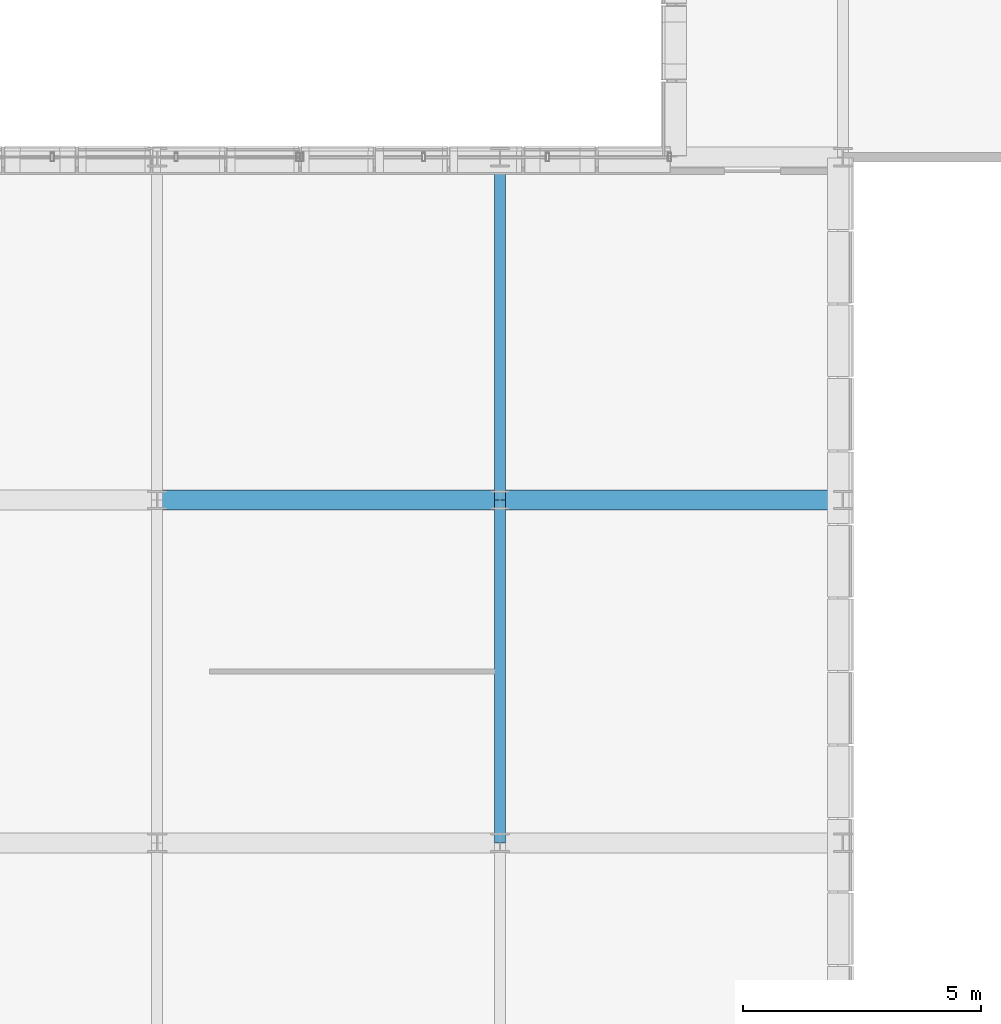
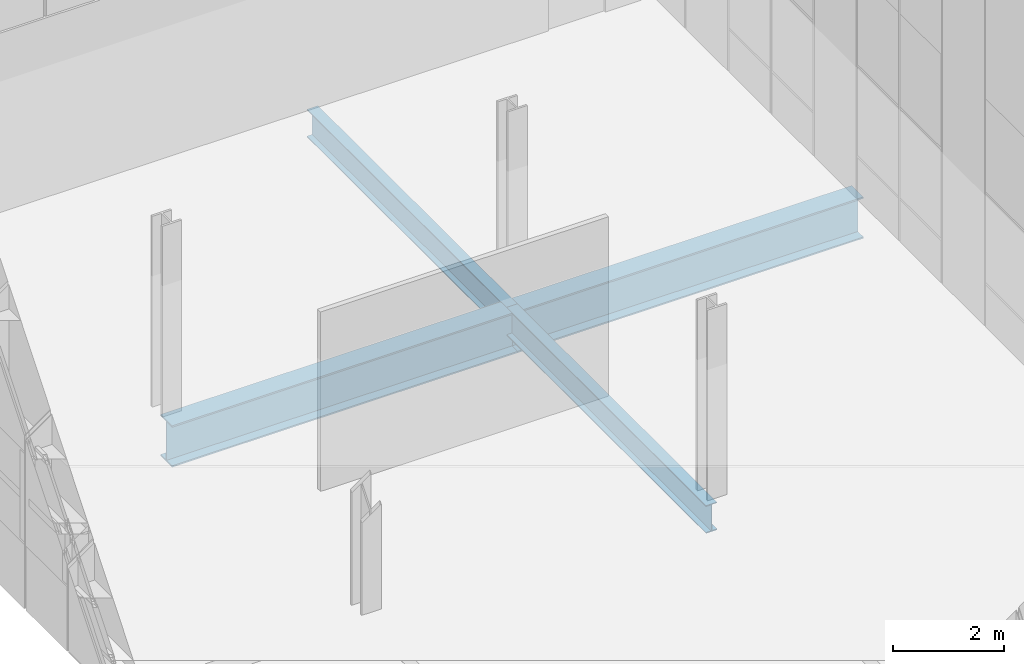
# One storey, part 16 of 144: 4 beams.
"""IFC4 building model written with IfcOpenShell, lengths in metres."""

from ifc_helpers import new_model, si_unit, direction, frame, origin, origin_2d, place, context, subcontext, project, spatial, i_section, extrude, material, material_profile, profile_set, type_object, element, save


model = new_model("IFC4")

# Units and contexts
model_context = context("Model", 3, precision=1e-05, world=origin(), true_north=direction((0.0, 1.0)))
body_context = subcontext(model_context, "Body", "Model", "MODEL_VIEW")
ifc_project = project(units=[si_unit("LENGTHUNIT", "METRE"), si_unit("AREAUNIT", "SQUARE_METRE"), si_unit("VOLUMEUNIT", "CUBIC_METRE"), si_unit("PLANEANGLEUNIT", "RADIAN"), si_unit("MASSUNIT", "GRAM", prefix="KILO")], contexts=[model_context])

# Site, building, storey
site_placement = place(None, origin())
site = spatial("IfcSite", under=ifc_project, at=site_placement, CompositionType="ELEMENT")
building_placement = place(site_placement, origin())
building = spatial("IfcBuilding", under=site, at=building_placement, Name="Yarey Park Central Fire Station", CompositionType="ELEMENT")
storey_placement = place(building_placement, frame((0.0, 0.0, 10.199951171875)))
storey = spatial("IfcBuildingStorey", under=building, at=storey_placement, Name="L03", CompositionType="ELEMENT", Elevation=10.199951171875)

# Beams
ifc_material = material(Name="Steel ASTM A992 Gr. 50", Category="steel")
ifc_material_profile_1 = material_profile(ifc_material, i_section(OverallWidth=0.22900390625, OverallDepth=0.612060546875, WebThickness=0.011962890625, FlangeThickness=0.01953125, at=origin_2d()), Name="W610x125")
ifc_profile_set_1 = profile_set([ifc_material_profile_1], Name="Steel ASTM A992 Gr. 50")
beam_type_1 = type_object("IfcBeamType", Name="STR_BM_W610", PredefinedType="BEAM", material=ifc_profile_set_1)
for number, where, z_axis, x_axis, name in (
    (1, (21.60009765625, 28.800048828125, -0.56591796875), (0.0, 1.0, 0.0), (-1.0, 0.0, 0.0), "DRUM BMY21 L03 Y288"),
    (2, (21.60009765625, 36.0, -0.56591796875), (0.0, 1.0, 0.0), (-1.0, 0.0, 0.0), "DRUM BMY21 L03 Y360"),
):
    element("IfcBeam", number, at=place(storey_placement, frame(where, z_axis=z_axis, x_axis=x_axis)), inside=storey, type_object=beam_type_1, Name=name, PredefinedType="BEAM", context=body_context, shape_type="SweptSolid", body=[
        extrude(i_section(OverallWidth=0.22900390625, OverallDepth=0.612060546875, WebThickness=0.011962890625, FlangeThickness=0.01953125, at=origin_2d()), origin(), (0.0, 0.0, 1.0), 7.199951171875),
    ])
ifc_material_profile_2 = material_profile(ifc_material, i_section(OverallWidth=0.41796875, OverallDepth=0.912109375, WebThickness=0.019287109375, FlangeThickness=0.031982421875, at=origin_2d()), Name="W920x342")
ifc_profile_set_2 = profile_set([ifc_material_profile_2], Name="Steel ASTM A992 Gr. 50")
beam_type_2 = type_object("IfcBeamType", Name="STR_BM_W920", PredefinedType="BEAM", material=ifc_profile_set_2)
beam_1_placement = place(storey_placement, frame((14.39990234375, 36.0, -0.716064453125), z_axis=(1.0, 0.0, 0.0), x_axis=(0.0, 1.0, 0.0)))
element("IfcBeam", 3, at=beam_1_placement, inside=storey, type_object=beam_type_2, Name="DRUM GIRD1 L03 Y360", PredefinedType="BEAM", context=body_context, shape_type="SweptSolid", body=[
    extrude(i_section(OverallWidth=0.41796875, OverallDepth=0.912109375, WebThickness=0.019287109375, FlangeThickness=0.031982421875, at=origin_2d()), origin(), (0.0, 0.0, 1.0), 7.2001953125),
])
beam_2_placement = place(storey_placement, frame((21.60009765625, 36.0, -0.716064453125), z_axis=(1.0, 0.0, 0.0), x_axis=(0.0, 1.0, 0.0)))
element("IfcBeam", 4, at=beam_2_placement, inside=storey, type_object=beam_type_2, Name="DRUM GIRD2 L03 Y360", PredefinedType="BEAM", context=body_context, shape_type="SweptSolid", body=[
    extrude(i_section(OverallWidth=0.41796875, OverallDepth=0.912109375, WebThickness=0.019287109375, FlangeThickness=0.031982421875, at=origin_2d()), origin(), (0.0, 0.0, 1.0), 7.199951171875),
])

save(model, "model.ifc")
